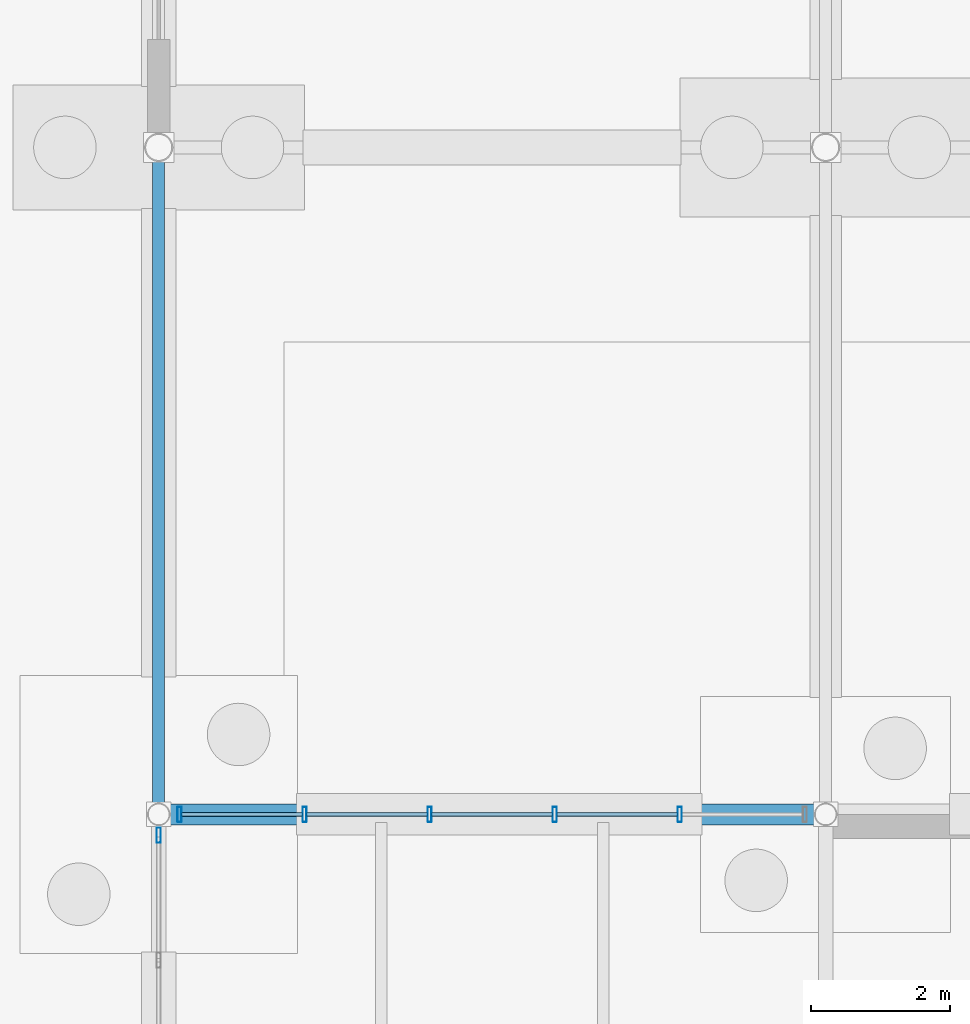
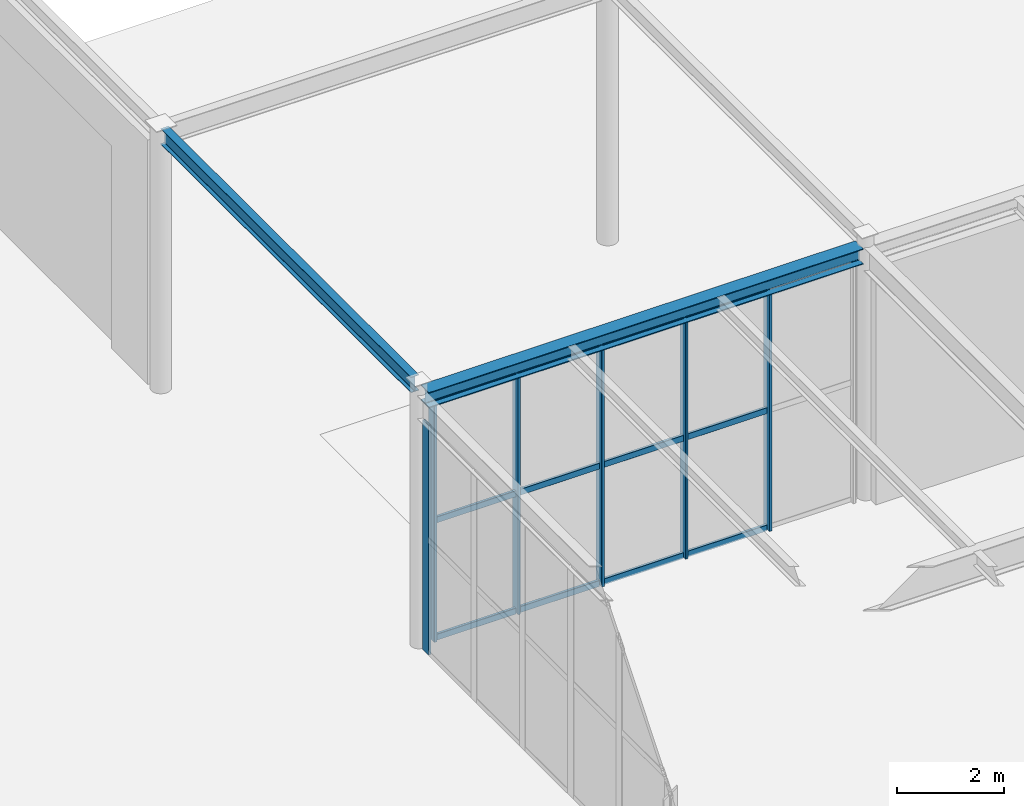
# One storey, part 75 of 142: 18 members, 2 beams, 2 elements without a shape of their own.
"""IFC4 building model written with IfcOpenShell, lengths in metres."""

from ifc_helpers import new_model, si_unit, direction, frame, origin, origin_2d, place, context, subcontext, project, spatial, hollow_rectangle, i_section, extrude, material, material_profile, profile_set, type_object, element, aggregate, save


model = new_model("IFC4")

# Units and contexts
model_context = context("Model", 3, precision=1e-05, world=origin(), true_north=direction((0.0, 1.0)))
body_context = subcontext(model_context, "Body", "Model", "MODEL_VIEW")
ifc_project = project(units=[si_unit("LENGTHUNIT", "METRE"), si_unit("AREAUNIT", "SQUARE_METRE"), si_unit("VOLUMEUNIT", "CUBIC_METRE"), si_unit("PLANEANGLEUNIT", "RADIAN"), si_unit("MASSUNIT", "GRAM", prefix="KILO")], contexts=[model_context])

# Site, building, storey
site_placement = place(None, origin())
site = spatial("IfcSite", under=ifc_project, at=site_placement, CompositionType="ELEMENT")
building_placement = place(site_placement, origin())
building = spatial("IfcBuilding", under=site, at=building_placement, Name="Coralgate Yard Interchange", CompositionType="ELEMENT")
storey_placement = place(building_placement, origin())
storey = spatial("IfcBuildingStorey", under=building, at=storey_placement, Name="L00", CompositionType="ELEMENT", Elevation=0.0)

# Beams
ifc_material_1 = material(Name="Structural steel S355J2", Category="steel")
ifc_material_profile_1 = material_profile(ifc_material_1, i_section(OverallWidth=0.17138671875, OverallDepth=0.35498046875, WebThickness=0.00732421875, FlangeThickness=0.011474609375, FilletRadius=0.01025390625, at=origin_2d()), Name="UB 356x171x51")
ifc_profile_set_1 = profile_set([ifc_material_profile_1], Name="Structural steel S355J2")
beam_type_1 = type_object("IfcBeamType", Name="BM-SB-4", PredefinedType="BEAM", material=ifc_profile_set_1)
beam_1_placement = place(storey_placement, frame((38.39990234375, 96.139892578125, 5.822509765625), z_axis=(0.0, 1.0, 0.0), x_axis=(-1.0, 0.0, 0.0)))
element("IfcBeam", 1, at=beam_1_placement, inside=storey, type_object=beam_type_1, Name="Wave-canopy transverse girder X4-Y10", PredefinedType="BEAM", context=body_context, shape_type="SweptSolid", body=[
    extrude(i_section(OverallWidth=0.17138671875, OverallDepth=0.35498046875, WebThickness=0.00732421875, FlangeThickness=0.011474609375, FilletRadius=0.01025390625, at=origin_2d()), origin(), (0.0, 0.0, 1.0), 9.320068359375),
])
ifc_material_profile_2 = material_profile(ifc_material_1, i_section(OverallWidth=0.300048828125, OverallDepth=0.35009765625, WebThickness=0.010009765625, FlangeThickness=0.017578125, FilletRadius=0.027099609375, at=origin_2d()), Name="HEA 360")
ifc_profile_set_2 = profile_set([ifc_material_profile_2], Name="Structural steel S355J2")
beam_type_2 = type_object("IfcBeamType", Name="BM-SP-1", PredefinedType="SPANDREL", material=ifc_profile_set_2)
beam_2_placement = place(storey_placement, frame((38.531982421875, 96.0, 5.574951171875), z_axis=(1.0, 0.0, 0.0), x_axis=(0.0, 1.0, 0.0)))
element("IfcBeam", 2, at=beam_2_placement, inside=storey, type_object=beam_type_2, Name="L00 primary grid beam Y10 X4-5", PredefinedType="SPANDREL", context=body_context, shape_type="SweptSolid", body=[
    extrude(i_section(OverallWidth=0.300048828125, OverallDepth=0.35009765625, WebThickness=0.010009765625, FlangeThickness=0.017578125, FilletRadius=0.027099609375, at=origin_2d()), origin(), (0.0, 0.0, 1.0), 9.3359375),
])

# Curtain wall, member
ifc_material_2 = material(Name="Anodised coastal aluminium and solar-control low-E glass", Category="aluminium")
curtain_wall_type_1 = type_object("IfcCurtainWallType", Name="CW-CW-L00-A", PredefinedType="NOTDEFINED", material=ifc_material_2)
curtain_wall_1_placement = place(storey_placement, origin())
curtain_wall_1 = element("IfcCurtainWall", 3, at=curtain_wall_1_placement, inside=storey, type_object=curtain_wall_type_1, Name="L00 unitised curtain wall CW-L00-W-04-09", PredefinedType="NOTDEFINED")
ifc_material_3 = material(Name="Anodised coastal aluminium 6063-T6", Category="aluminium")
ifc_material_profile_3 = material_profile(ifc_material_3, hollow_rectangle(XDim=0.06005859375, YDim=0.219970703125, WallThickness=0.00390625, InnerFilletRadius=0.00390625, OuterFilletRadius=0.008056640625, at=origin_2d()), Name="ALU 60x220x4")
ifc_profile_set_3 = profile_set([ifc_material_profile_3], Name="Anodised coastal aluminium 6063-T6")
member_type_1 = type_object("IfcMemberType", Name="MB-MUL-220", PredefinedType="MULLION", material=ifc_profile_set_3)
member_1_placement = place(storey_placement, frame((38.39990234375, 95.699951171875, 0.0), z_axis=(0.0, 0.0, 1.0), x_axis=(1.0, 0.0, 0.0)))
member_1 = element("IfcMember", 4, at=member_1_placement, type_object=member_type_1, Name="CW-L00-W-04-09 vertical mullion 6", PredefinedType="MULLION", context=body_context, shape_type="SweptSolid", body=[
    extrude(hollow_rectangle(XDim=0.06005859375, YDim=0.219970703125, WallThickness=0.00390625, InnerFilletRadius=0.00390625, OuterFilletRadius=0.008056640625, at=origin_2d()), origin(), (0.0, 0.0, 1.0), 5.216796875),
])
aggregate(curtain_wall_1, [member_1])

# Curtain wall, members
curtain_wall_type_2 = type_object("IfcCurtainWallType", Name="CW-CW-L00-B", PredefinedType="NOTDEFINED", material=ifc_material_2)
curtain_wall_2_placement = place(storey_placement, origin())
curtain_wall_2 = element("IfcCurtainWall", 5, at=curtain_wall_2_placement, inside=storey, type_object=curtain_wall_type_2, Name="L00 unitised curtain wall CW-L00-N-04-09", PredefinedType="NOTDEFINED")
member_2_placement = place(storey_placement, frame((38.699951171875, 96.0, 0.0), z_axis=(0.0, 0.0, 1.0), x_axis=(1.0, 0.0, 0.0)))
member_2 = element("IfcMember", 6, at=member_2_placement, type_object=member_type_1, Name="CW-L00-N-04-09 vertical mullion 1", PredefinedType="MULLION", context=body_context, shape_type="SweptSolid", body=[
    extrude(hollow_rectangle(XDim=0.06005859375, YDim=0.219970703125, WallThickness=0.00390625, InnerFilletRadius=0.00390625, OuterFilletRadius=0.008056640625, at=origin_2d()), origin(), (0.0, 0.0, 1.0), 5.39990234375),
])
member_3_placement = place(storey_placement, frame((40.5, 96.0, 0.0), z_axis=(0.0, 0.0, 1.0), x_axis=(1.0, 0.0, 0.0)))
member_3 = element("IfcMember", 7, at=member_3_placement, type_object=member_type_1, Name="CW-L00-N-04-09 vertical mullion 2", PredefinedType="MULLION", context=body_context, shape_type="SweptSolid", body=[
    extrude(hollow_rectangle(XDim=0.06005859375, YDim=0.219970703125, WallThickness=0.00390625, InnerFilletRadius=0.00390625, OuterFilletRadius=0.008056640625, at=origin_2d()), origin(), (0.0, 0.0, 1.0), 5.39990234375),
])
member_4_placement = place(storey_placement, frame((42.300048828125, 96.0, 0.0), z_axis=(0.0, 0.0, 1.0), x_axis=(1.0, 0.0, 0.0)))
member_4 = element("IfcMember", 8, at=member_4_placement, type_object=member_type_1, Name="CW-L00-N-04-09 vertical mullion 3", PredefinedType="MULLION", context=body_context, shape_type="SweptSolid", body=[
    extrude(hollow_rectangle(XDim=0.06005859375, YDim=0.219970703125, WallThickness=0.00390625, InnerFilletRadius=0.00390625, OuterFilletRadius=0.008056640625, at=origin_2d()), origin(), (0.0, 0.0, 1.0), 5.39990234375),
])
member_5_placement = place(storey_placement, frame((44.10009765625, 96.0, 0.0), z_axis=(0.0, 0.0, 1.0), x_axis=(1.0, 0.0, 0.0)))
member_5 = element("IfcMember", 9, at=member_5_placement, type_object=member_type_1, Name="CW-L00-N-04-09 vertical mullion 4", PredefinedType="MULLION", context=body_context, shape_type="SweptSolid", body=[
    extrude(hollow_rectangle(XDim=0.06005859375, YDim=0.219970703125, WallThickness=0.00390625, InnerFilletRadius=0.00390625, OuterFilletRadius=0.008056640625, at=origin_2d()), origin(), (0.0, 0.0, 1.0), 5.39990234375),
])
member_6_placement = place(storey_placement, frame((45.89990234375, 96.0, 0.0), z_axis=(0.0, 0.0, 1.0), x_axis=(1.0, 0.0, 0.0)))
member_6 = element("IfcMember", 10, at=member_6_placement, type_object=member_type_1, Name="CW-L00-N-04-09 vertical mullion 5", PredefinedType="MULLION", context=body_context, shape_type="SweptSolid", body=[
    extrude(hollow_rectangle(XDim=0.06005859375, YDim=0.219970703125, WallThickness=0.00390625, InnerFilletRadius=0.00390625, OuterFilletRadius=0.008056640625, at=origin_2d()), origin(), (0.0, 0.0, 1.0), 5.39990234375),
])
ifc_material_profile_4 = material_profile(ifc_material_3, hollow_rectangle(XDim=0.06005859375, YDim=0.139892578125, WallThickness=0.00341796875, InnerFilletRadius=0.00341796875, OuterFilletRadius=0.007080078125, at=origin_2d()), Name="ALU 60x140x3.5")
ifc_profile_set_4 = profile_set([ifc_material_profile_4], Name="Anodised coastal aluminium 6063-T6")
member_type_2 = type_object("IfcMemberType", Name="MB-TRN-140", PredefinedType="USERDEFINED", material=ifc_profile_set_4)
member_7_placement = place(storey_placement, frame((38.72998046875, 96.0, 0.034912109375), z_axis=(1.0, 0.0, 0.0), x_axis=(0.0, 1.0, 0.0)))
member_7 = element("IfcMember", 11, at=member_7_placement, type_object=member_type_2, Name="CW-L00-N-04-09 horizontal transom 1-1", ObjectType="TRANSOM", PredefinedType="USERDEFINED", context=body_context, shape_type="SweptSolid", body=[
    extrude(hollow_rectangle(XDim=0.06005859375, YDim=0.139892578125, WallThickness=0.00341796875, InnerFilletRadius=0.00341796875, OuterFilletRadius=0.007080078125, at=origin_2d()), origin(), (0.0, 0.0, 1.0), 1.739990234375),
])
member_8_placement = place(storey_placement, frame((38.72998046875, 96.0, 2.699951171875), z_axis=(1.0, 0.0, 0.0), x_axis=(0.0, 1.0, 0.0)))
member_8 = element("IfcMember", 12, at=member_8_placement, type_object=member_type_2, Name="CW-L00-N-04-09 horizontal transom 1-2", ObjectType="TRANSOM", PredefinedType="USERDEFINED", context=body_context, shape_type="SweptSolid", body=[
    extrude(hollow_rectangle(XDim=0.06005859375, YDim=0.139892578125, WallThickness=0.00341796875, InnerFilletRadius=0.00341796875, OuterFilletRadius=0.007080078125, at=origin_2d()), origin(), (0.0, 0.0, 1.0), 1.739990234375),
])
member_9_placement = place(storey_placement, frame((38.72998046875, 96.0, 5.364990234375), z_axis=(1.0, 0.0, 0.0), x_axis=(0.0, 1.0, 0.0)))
member_9 = element("IfcMember", 13, at=member_9_placement, type_object=member_type_2, Name="CW-L00-N-04-09 horizontal transom 1-3", ObjectType="TRANSOM", PredefinedType="USERDEFINED", context=body_context, shape_type="SweptSolid", body=[
    extrude(hollow_rectangle(XDim=0.06005859375, YDim=0.139892578125, WallThickness=0.00341796875, InnerFilletRadius=0.00341796875, OuterFilletRadius=0.007080078125, at=origin_2d()), origin(), (0.0, 0.0, 1.0), 1.739990234375),
])
member_10_placement = place(storey_placement, frame((40.530029296875, 96.0, 0.034912109375), z_axis=(1.0, 0.0, 0.0), x_axis=(0.0, 1.0, 0.0)))
member_10 = element("IfcMember", 14, at=member_10_placement, type_object=member_type_2, Name="CW-L00-N-04-09 horizontal transom 2-1", ObjectType="TRANSOM", PredefinedType="USERDEFINED", context=body_context, shape_type="SweptSolid", body=[
    extrude(hollow_rectangle(XDim=0.06005859375, YDim=0.139892578125, WallThickness=0.00341796875, InnerFilletRadius=0.00341796875, OuterFilletRadius=0.007080078125, at=origin_2d()), origin(), (0.0, 0.0, 1.0), 1.739990234375),
])
member_11_placement = place(storey_placement, frame((40.530029296875, 96.0, 2.699951171875), z_axis=(1.0, 0.0, 0.0), x_axis=(0.0, 1.0, 0.0)))
member_11 = element("IfcMember", 15, at=member_11_placement, type_object=member_type_2, Name="CW-L00-N-04-09 horizontal transom 2-2", ObjectType="TRANSOM", PredefinedType="USERDEFINED", context=body_context, shape_type="SweptSolid", body=[
    extrude(hollow_rectangle(XDim=0.06005859375, YDim=0.139892578125, WallThickness=0.00341796875, InnerFilletRadius=0.00341796875, OuterFilletRadius=0.007080078125, at=origin_2d()), origin(), (0.0, 0.0, 1.0), 1.739990234375),
])
member_12_placement = place(storey_placement, frame((40.530029296875, 96.0, 5.364990234375), z_axis=(1.0, 0.0, 0.0), x_axis=(0.0, 1.0, 0.0)))
member_12 = element("IfcMember", 16, at=member_12_placement, type_object=member_type_2, Name="CW-L00-N-04-09 horizontal transom 2-3", ObjectType="TRANSOM", PredefinedType="USERDEFINED", context=body_context, shape_type="SweptSolid", body=[
    extrude(hollow_rectangle(XDim=0.06005859375, YDim=0.139892578125, WallThickness=0.00341796875, InnerFilletRadius=0.00341796875, OuterFilletRadius=0.007080078125, at=origin_2d()), origin(), (0.0, 0.0, 1.0), 1.739990234375),
])
member_13_placement = place(storey_placement, frame((42.330078125, 96.0, 0.034912109375), z_axis=(1.0, 0.0, 0.0), x_axis=(0.0, 1.0, 0.0)))
member_13 = element("IfcMember", 17, at=member_13_placement, type_object=member_type_2, Name="CW-L00-N-04-09 horizontal transom 3-1", ObjectType="TRANSOM", PredefinedType="USERDEFINED", context=body_context, shape_type="SweptSolid", body=[
    extrude(hollow_rectangle(XDim=0.06005859375, YDim=0.139892578125, WallThickness=0.00341796875, InnerFilletRadius=0.00341796875, OuterFilletRadius=0.007080078125, at=origin_2d()), origin(), (0.0, 0.0, 1.0), 1.739990234375),
])
member_14_placement = place(storey_placement, frame((42.330078125, 96.0, 2.699951171875), z_axis=(1.0, 0.0, 0.0), x_axis=(0.0, 1.0, 0.0)))
member_14 = element("IfcMember", 18, at=member_14_placement, type_object=member_type_2, Name="CW-L00-N-04-09 horizontal transom 3-2", ObjectType="TRANSOM", PredefinedType="USERDEFINED", context=body_context, shape_type="SweptSolid", body=[
    extrude(hollow_rectangle(XDim=0.06005859375, YDim=0.139892578125, WallThickness=0.00341796875, InnerFilletRadius=0.00341796875, OuterFilletRadius=0.007080078125, at=origin_2d()), origin(), (0.0, 0.0, 1.0), 1.739990234375),
])
member_15_placement = place(storey_placement, frame((42.330078125, 96.0, 5.364990234375), z_axis=(1.0, 0.0, 0.0), x_axis=(0.0, 1.0, 0.0)))
member_15 = element("IfcMember", 19, at=member_15_placement, type_object=member_type_2, Name="CW-L00-N-04-09 horizontal transom 3-3", ObjectType="TRANSOM", PredefinedType="USERDEFINED", context=body_context, shape_type="SweptSolid", body=[
    extrude(hollow_rectangle(XDim=0.06005859375, YDim=0.139892578125, WallThickness=0.00341796875, InnerFilletRadius=0.00341796875, OuterFilletRadius=0.007080078125, at=origin_2d()), origin(), (0.0, 0.0, 1.0), 1.739990234375),
])
member_16_placement = place(storey_placement, frame((44.1298828125, 96.0, 0.034912109375), z_axis=(1.0, 0.0, 0.0), x_axis=(0.0, 1.0, 0.0)))
member_16 = element("IfcMember", 20, at=member_16_placement, type_object=member_type_2, Name="CW-L00-N-04-09 horizontal transom 4-1", ObjectType="TRANSOM", PredefinedType="USERDEFINED", context=body_context, shape_type="SweptSolid", body=[
    extrude(hollow_rectangle(XDim=0.06005859375, YDim=0.139892578125, WallThickness=0.00341796875, InnerFilletRadius=0.00341796875, OuterFilletRadius=0.007080078125, at=origin_2d()), origin(), (0.0, 0.0, 1.0), 1.740234375),
])
member_17_placement = place(storey_placement, frame((44.1298828125, 96.0, 2.699951171875), z_axis=(1.0, 0.0, 0.0), x_axis=(0.0, 1.0, 0.0)))
member_17 = element("IfcMember", 21, at=member_17_placement, type_object=member_type_2, Name="CW-L00-N-04-09 horizontal transom 4-2", ObjectType="TRANSOM", PredefinedType="USERDEFINED", context=body_context, shape_type="SweptSolid", body=[
    extrude(hollow_rectangle(XDim=0.06005859375, YDim=0.139892578125, WallThickness=0.00341796875, InnerFilletRadius=0.00341796875, OuterFilletRadius=0.007080078125, at=origin_2d()), origin(), (0.0, 0.0, 1.0), 1.740234375),
])
member_18_placement = place(storey_placement, frame((44.1298828125, 96.0, 5.364990234375), z_axis=(1.0, 0.0, 0.0), x_axis=(0.0, 1.0, 0.0)))
member_18 = element("IfcMember", 22, at=member_18_placement, type_object=member_type_2, Name="CW-L00-N-04-09 horizontal transom 4-3", ObjectType="TRANSOM", PredefinedType="USERDEFINED", context=body_context, shape_type="SweptSolid", body=[
    extrude(hollow_rectangle(XDim=0.06005859375, YDim=0.139892578125, WallThickness=0.00341796875, InnerFilletRadius=0.00341796875, OuterFilletRadius=0.007080078125, at=origin_2d()), origin(), (0.0, 0.0, 1.0), 1.740234375),
])
aggregate(curtain_wall_2, [member_2, member_3, member_4, member_5, member_6, member_7, member_8, member_9, member_10, member_11, member_12, member_13, member_14, member_15, member_16, member_17, member_18])

save(model, "model.ifc")
